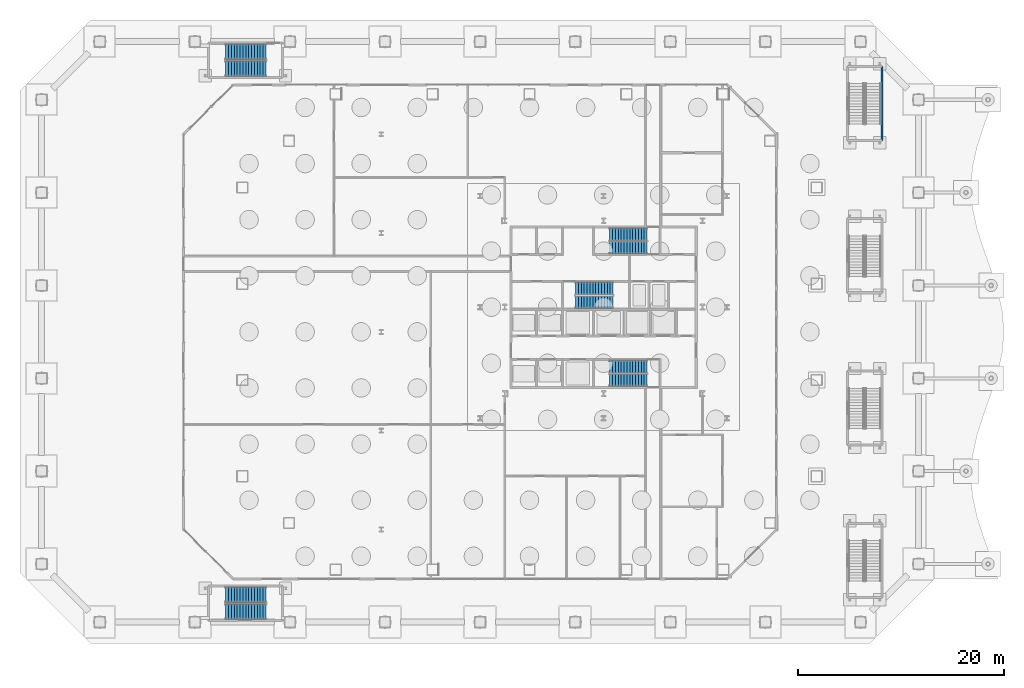
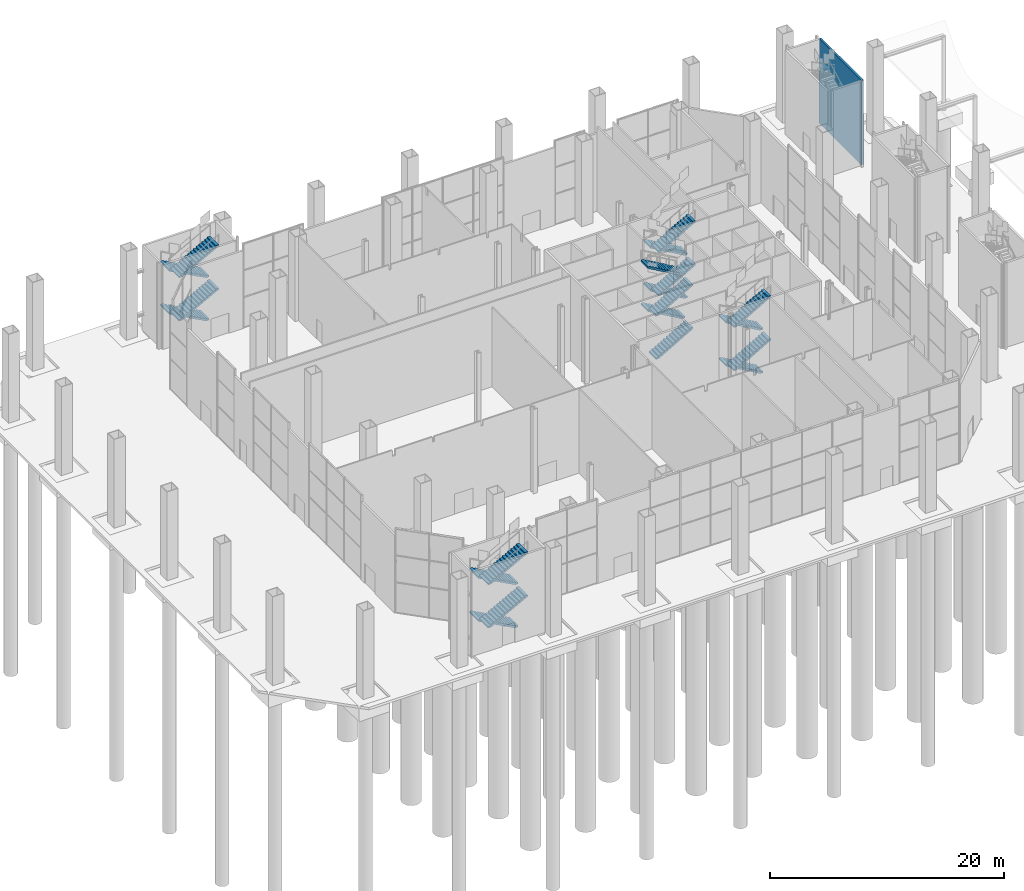
# One storey, part 28 of 38: 20 stair flights, 1 wall, 5 elements without a shape of their own.
"""IFC4 building model written with IfcOpenShell, lengths in metres."""

from ifc_helpers import new_model, si_unit, direction, frame, frame_2d, origin, place, context, subcontext, project, spatial, polyline, rectangle, outline, extrude, material, layer, layer_set, type_object, element, aggregate, save


model = new_model("IFC4")

# Units and contexts
model_context = context("Model", 3, precision=1e-05, world=origin(), true_north=direction((0.0, 1.0)))
body_context = subcontext(model_context, "Body", "Model", "MODEL_VIEW")
ifc_project = project(units=[si_unit("LENGTHUNIT", "METRE"), si_unit("AREAUNIT", "SQUARE_METRE"), si_unit("VOLUMEUNIT", "CUBIC_METRE"), si_unit("PLANEANGLEUNIT", "RADIAN"), si_unit("MASSUNIT", "GRAM", prefix="KILO")], contexts=[model_context])

# Site, building, storey
site_placement = place(None, origin())
site = spatial("IfcSite", under=ifc_project, at=site_placement, CompositionType="ELEMENT")
building_placement = place(site_placement, origin())
building = spatial("IfcBuilding", under=site, at=building_placement, Name="Cairn Pilgrim Tower", CompositionType="ELEMENT")
storey_placement = place(building_placement, origin())
storey = spatial("IfcBuildingStorey", under=building, at=storey_placement, Name="L00", CompositionType="ELEMENT", Elevation=0.0)

# Wall
ifc_material_1 = material(Name="Concrete C35/45", Category="concrete")
ifc_layer = layer(ifc_material_1, 0.199951171875)
ifc_layer_set = layer_set([ifc_layer], Name="PODIUM STAIR WALL 200 EI 120")
wall_type = type_object("IfcWallType", Name="PODIUM STAIR WALL 200 EI 120", PredefinedType="SOLIDWALL", material=ifc_layer_set)
wall_placement = place(storey_placement, frame((34.25, 25.800048828125, 0.0), z_axis=(0.0, 0.0, 1.0), x_axis=(0.0, -1.0, 0.0)))
element("IfcWall", 1, at=wall_placement, inside=storey, type_object=wall_type, Name="ES4 STAIR WALL E", PredefinedType="SOLIDWALL", context=body_context, shape_type="SweptSolid", body=[
    extrude(rectangle(XDim=7.199951171875, YDim=0.199951171875, at=frame_2d((3.60009765625, 0.0))), origin(), (0.0, 0.0, 1.0), 8.800048828125),
])

# Stair, stair flights
stair_type_1 = type_object("IfcStairType", Name="PODIUM EXIT STAIR 1500", PredefinedType="HALF_TURN_STAIR", material=ifc_material_1)
stair_1_placement = place(storey_placement, origin())
stair_1 = element("IfcStair", 2, at=stair_1_placement, inside=storey, type_object=stair_type_1, Name="L00 Exit Stair Hn", PredefinedType="HALF_TURN_STAIR")
stair_flight_type_1 = type_object("IfcStairFlightType", Name="PODIUM STAIR FLIGHT 1500", PredefinedType="STRAIGHT", material=ifc_material_1)
stair_flight_1_placement = place(storey_placement, frame((-25.60009765625, 27.199951171875, 0.0), z_axis=(0.0, 0.0, 1.0), x_axis=(-1.0, 0.0, 0.0)))
stair_flight_1 = element("IfcStairFlight", 3, at=stair_flight_1_placement, type_object=stair_flight_type_1, Name="ST-HN flight 1", NumberOfRisers=15, NumberOfTreads=14, PredefinedType="STRAIGHT", RiserHeight=0.15, TreadLength=0.28, context=body_context, shape_type="SweptSolid", body=[
    extrude(outline(polyline([(0.0, 0.0), (0.0, 0.14990234375), (0.280029296875, 0.14990234375), (0.280029296875, 0.300048828125), (0.56005859375, 0.300048828125), (0.56005859375, 0.449951171875), (0.840087890625, 0.449951171875), (0.840087890625, 0.60009765625), (1.1201171875, 0.60009765625), (1.1201171875, 0.75), (1.39990234375, 0.75), (1.39990234375, 0.89990234375), (1.679931640625, 0.89990234375), (1.679931640625, 1.050048828125), (1.9599609375, 1.050048828125), (1.9599609375, 1.199951171875), (2.239990234375, 1.199951171875), (2.239990234375, 1.35009765625), (2.52001953125, 1.35009765625), (2.52001953125, 1.5), (2.800048828125, 1.5), (2.800048828125, 1.64990234375), (3.080078125, 1.64990234375), (3.080078125, 1.800048828125), (3.360107421875, 1.800048828125), (3.360107421875, 1.949951171875), (3.639892578125, 1.949951171875), (3.639892578125, 2.10009765625), (3.919921875, 2.10009765625), (3.919921875, 2.25), (3.919921875, 1.929931640625), (0.3173828125, 0.0), (0.0, 0.0)])), frame((0.0, 0.75, 0.0), z_axis=(0.0, -1.0, 0.0), x_axis=(1.0, 0.0, 0.0)), (0.0, 0.0, 1.0), 1.5),
])
stair_flight_2_placement = place(storey_placement, frame((-29.52001953125, 25.550048828125, 2.25), z_axis=(0.0, 0.0, 1.0), x_axis=(1.0, 0.0, 0.0)))
stair_flight_2 = element("IfcStairFlight", 4, at=stair_flight_2_placement, type_object=stair_flight_type_1, Name="ST-HN flight 2", NumberOfRisers=15, NumberOfTreads=14, PredefinedType="STRAIGHT", RiserHeight=0.15, TreadLength=0.28, context=body_context, shape_type="SweptSolid", body=[
    extrude(outline(polyline([(0.0, 0.0), (0.0, 0.14990234375), (0.280029296875, 0.14990234375), (0.280029296875, 0.300048828125), (0.56005859375, 0.300048828125), (0.56005859375, 0.449951171875), (0.840087890625, 0.449951171875), (0.840087890625, 0.60009765625), (1.1201171875, 0.60009765625), (1.1201171875, 0.75), (1.39990234375, 0.75), (1.39990234375, 0.89990234375), (1.679931640625, 0.89990234375), (1.679931640625, 1.050048828125), (1.9599609375, 1.050048828125), (1.9599609375, 1.199951171875), (2.239990234375, 1.199951171875), (2.239990234375, 1.35009765625), (2.52001953125, 1.35009765625), (2.52001953125, 1.5), (2.800048828125, 1.5), (2.800048828125, 1.64990234375), (3.080078125, 1.64990234375), (3.080078125, 1.800048828125), (3.360107421875, 1.800048828125), (3.360107421875, 1.949951171875), (3.639892578125, 1.949951171875), (3.639892578125, 2.10009765625), (3.919921875, 2.10009765625), (3.919921875, 2.25), (3.919921875, 1.929931640625), (0.3173828125, 0.0), (0.0, 0.0)])), frame((0.0, 0.75, 0.0), z_axis=(0.0, -1.0, 0.0), x_axis=(1.0, 0.0, 0.0)), (0.0, 0.0, 1.0), 1.5),
])
stair_flight_3_placement = place(storey_placement, frame((-25.60009765625, 27.199951171875, 4.5), z_axis=(0.0, 0.0, 1.0), x_axis=(-1.0, 0.0, 0.0)))
stair_flight_3 = element("IfcStairFlight", 5, at=stair_flight_3_placement, type_object=stair_flight_type_1, Name="ST-HN flight 3", NumberOfRisers=15, NumberOfTreads=14, PredefinedType="STRAIGHT", RiserHeight=0.15, TreadLength=0.28, context=body_context, shape_type="SweptSolid", body=[
    extrude(outline(polyline([(0.0, 0.0), (0.0, 0.14990234375), (0.280029296875, 0.14990234375), (0.280029296875, 0.300048828125), (0.56005859375, 0.300048828125), (0.56005859375, 0.449951171875), (0.840087890625, 0.449951171875), (0.840087890625, 0.60009765625), (1.1201171875, 0.60009765625), (1.1201171875, 0.75), (1.39990234375, 0.75), (1.39990234375, 0.89990234375), (1.679931640625, 0.89990234375), (1.679931640625, 1.050048828125), (1.9599609375, 1.050048828125), (1.9599609375, 1.199951171875), (2.239990234375, 1.199951171875), (2.239990234375, 1.35009765625), (2.52001953125, 1.35009765625), (2.52001953125, 1.5), (2.800048828125, 1.5), (2.800048828125, 1.64990234375), (3.080078125, 1.64990234375), (3.080078125, 1.800048828125), (3.360107421875, 1.800048828125), (3.360107421875, 1.949951171875), (3.639892578125, 1.949951171875), (3.639892578125, 2.10009765625), (3.919921875, 2.10009765625), (3.919921875, 2.25), (3.919921875, 1.929931640625), (0.3173828125, 0.0), (0.0, 0.0)])), frame((0.0, 0.75, 0.0), z_axis=(0.0, -1.0, 0.0), x_axis=(1.0, 0.0, 0.0)), (0.0, 0.0, 1.0), 1.5),
])
stair_flight_4_placement = place(storey_placement, frame((-29.52001953125, 25.550048828125, 6.75), z_axis=(0.0, 0.0, 1.0), x_axis=(1.0, 0.0, 0.0)))
stair_flight_4 = element("IfcStairFlight", 6, at=stair_flight_4_placement, type_object=stair_flight_type_1, Name="ST-HN flight 4", NumberOfRisers=15, NumberOfTreads=14, PredefinedType="STRAIGHT", RiserHeight=0.15, TreadLength=0.28, context=body_context, shape_type="SweptSolid", body=[
    extrude(outline(polyline([(0.0, 0.0), (0.0, 0.14990234375), (0.280029296875, 0.14990234375), (0.280029296875, 0.300048828125), (0.56005859375, 0.300048828125), (0.56005859375, 0.449951171875), (0.840087890625, 0.449951171875), (0.840087890625, 0.60009765625), (1.1201171875, 0.60009765625), (1.1201171875, 0.75), (1.39990234375, 0.75), (1.39990234375, 0.89990234375), (1.679931640625, 0.89990234375), (1.679931640625, 1.050048828125), (1.9599609375, 1.050048828125), (1.9599609375, 1.199951171875), (2.239990234375, 1.199951171875), (2.239990234375, 1.35009765625), (2.52001953125, 1.35009765625), (2.52001953125, 1.5), (2.800048828125, 1.5), (2.800048828125, 1.64990234375), (3.080078125, 1.64990234375), (3.080078125, 1.800048828125), (3.360107421875, 1.800048828125), (3.360107421875, 1.949951171875), (3.639892578125, 1.949951171875), (3.639892578125, 2.10009765625), (3.919921875, 2.10009765625), (3.919921875, 2.25), (3.919921875, 1.929931640625), (0.3173828125, 0.0), (0.0, 0.0)])), frame((0.0, 0.75, 0.0), z_axis=(0.0, -1.0, 0.0), x_axis=(1.0, 0.0, 0.0)), (0.0, 0.0, 1.0), 1.5),
])
aggregate(stair_1, [stair_flight_1, stair_flight_2, stair_flight_3, stair_flight_4])

stair_2_placement = place(storey_placement, origin())
stair_2 = element("IfcStair", 7, at=stair_2_placement, inside=storey, type_object=stair_type_1, Name="L00 Exit Stair Hs", PredefinedType="HALF_TURN_STAIR")
stair_flight_5_placement = place(storey_placement, frame((-25.60009765625, -25.550048828125, 0.0), z_axis=(0.0, 0.0, 1.0), x_axis=(-1.0, 0.0, 0.0)))
stair_flight_5 = element("IfcStairFlight", 8, at=stair_flight_5_placement, type_object=stair_flight_type_1, Name="ST-HS flight 1", NumberOfRisers=15, NumberOfTreads=14, PredefinedType="STRAIGHT", RiserHeight=0.15, TreadLength=0.28, context=body_context, shape_type="SweptSolid", body=[
    extrude(outline(polyline([(0.0, 0.0), (0.0, 0.14990234375), (0.280029296875, 0.14990234375), (0.280029296875, 0.300048828125), (0.56005859375, 0.300048828125), (0.56005859375, 0.449951171875), (0.840087890625, 0.449951171875), (0.840087890625, 0.60009765625), (1.1201171875, 0.60009765625), (1.1201171875, 0.75), (1.39990234375, 0.75), (1.39990234375, 0.89990234375), (1.679931640625, 0.89990234375), (1.679931640625, 1.050048828125), (1.9599609375, 1.050048828125), (1.9599609375, 1.199951171875), (2.239990234375, 1.199951171875), (2.239990234375, 1.35009765625), (2.52001953125, 1.35009765625), (2.52001953125, 1.5), (2.800048828125, 1.5), (2.800048828125, 1.64990234375), (3.080078125, 1.64990234375), (3.080078125, 1.800048828125), (3.360107421875, 1.800048828125), (3.360107421875, 1.949951171875), (3.639892578125, 1.949951171875), (3.639892578125, 2.10009765625), (3.919921875, 2.10009765625), (3.919921875, 2.25), (3.919921875, 1.929931640625), (0.3173828125, 0.0), (0.0, 0.0)])), frame((0.0, 0.75, 0.0), z_axis=(0.0, -1.0, 0.0), x_axis=(1.0, 0.0, 0.0)), (0.0, 0.0, 1.0), 1.5),
])
stair_flight_6_placement = place(storey_placement, frame((-29.52001953125, -27.199951171875, 2.25), z_axis=(0.0, 0.0, 1.0), x_axis=(1.0, 0.0, 0.0)))
stair_flight_6 = element("IfcStairFlight", 9, at=stair_flight_6_placement, type_object=stair_flight_type_1, Name="ST-HS flight 2", NumberOfRisers=15, NumberOfTreads=14, PredefinedType="STRAIGHT", RiserHeight=0.15, TreadLength=0.28, context=body_context, shape_type="SweptSolid", body=[
    extrude(outline(polyline([(0.0, 0.0), (0.0, 0.14990234375), (0.280029296875, 0.14990234375), (0.280029296875, 0.300048828125), (0.56005859375, 0.300048828125), (0.56005859375, 0.449951171875), (0.840087890625, 0.449951171875), (0.840087890625, 0.60009765625), (1.1201171875, 0.60009765625), (1.1201171875, 0.75), (1.39990234375, 0.75), (1.39990234375, 0.89990234375), (1.679931640625, 0.89990234375), (1.679931640625, 1.050048828125), (1.9599609375, 1.050048828125), (1.9599609375, 1.199951171875), (2.239990234375, 1.199951171875), (2.239990234375, 1.35009765625), (2.52001953125, 1.35009765625), (2.52001953125, 1.5), (2.800048828125, 1.5), (2.800048828125, 1.64990234375), (3.080078125, 1.64990234375), (3.080078125, 1.800048828125), (3.360107421875, 1.800048828125), (3.360107421875, 1.949951171875), (3.639892578125, 1.949951171875), (3.639892578125, 2.10009765625), (3.919921875, 2.10009765625), (3.919921875, 2.25), (3.919921875, 1.929931640625), (0.3173828125, 0.0), (0.0, 0.0)])), frame((0.0, 0.75, 0.0), z_axis=(0.0, -1.0, 0.0), x_axis=(1.0, 0.0, 0.0)), (0.0, 0.0, 1.0), 1.5),
])
stair_flight_7_placement = place(storey_placement, frame((-25.60009765625, -25.550048828125, 4.5), z_axis=(0.0, 0.0, 1.0), x_axis=(-1.0, 0.0, 0.0)))
stair_flight_7 = element("IfcStairFlight", 10, at=stair_flight_7_placement, type_object=stair_flight_type_1, Name="ST-HS flight 3", NumberOfRisers=15, NumberOfTreads=14, PredefinedType="STRAIGHT", RiserHeight=0.15, TreadLength=0.28, context=body_context, shape_type="SweptSolid", body=[
    extrude(outline(polyline([(0.0, 0.0), (0.0, 0.14990234375), (0.280029296875, 0.14990234375), (0.280029296875, 0.300048828125), (0.56005859375, 0.300048828125), (0.56005859375, 0.449951171875), (0.840087890625, 0.449951171875), (0.840087890625, 0.60009765625), (1.1201171875, 0.60009765625), (1.1201171875, 0.75), (1.39990234375, 0.75), (1.39990234375, 0.89990234375), (1.679931640625, 0.89990234375), (1.679931640625, 1.050048828125), (1.9599609375, 1.050048828125), (1.9599609375, 1.199951171875), (2.239990234375, 1.199951171875), (2.239990234375, 1.35009765625), (2.52001953125, 1.35009765625), (2.52001953125, 1.5), (2.800048828125, 1.5), (2.800048828125, 1.64990234375), (3.080078125, 1.64990234375), (3.080078125, 1.800048828125), (3.360107421875, 1.800048828125), (3.360107421875, 1.949951171875), (3.639892578125, 1.949951171875), (3.639892578125, 2.10009765625), (3.919921875, 2.10009765625), (3.919921875, 2.25), (3.919921875, 1.929931640625), (0.3173828125, 0.0), (0.0, 0.0)])), frame((0.0, 0.75, 0.0), z_axis=(0.0, -1.0, 0.0), x_axis=(1.0, 0.0, 0.0)), (0.0, 0.0, 1.0), 1.5),
])
stair_flight_8_placement = place(storey_placement, frame((-29.52001953125, -27.199951171875, 6.75), z_axis=(0.0, 0.0, 1.0), x_axis=(1.0, 0.0, 0.0)))
stair_flight_8 = element("IfcStairFlight", 11, at=stair_flight_8_placement, type_object=stair_flight_type_1, Name="ST-HS flight 4", NumberOfRisers=15, NumberOfTreads=14, PredefinedType="STRAIGHT", RiserHeight=0.15, TreadLength=0.28, context=body_context, shape_type="SweptSolid", body=[
    extrude(outline(polyline([(0.0, 0.0), (0.0, 0.14990234375), (0.280029296875, 0.14990234375), (0.280029296875, 0.300048828125), (0.56005859375, 0.300048828125), (0.56005859375, 0.449951171875), (0.840087890625, 0.449951171875), (0.840087890625, 0.60009765625), (1.1201171875, 0.60009765625), (1.1201171875, 0.75), (1.39990234375, 0.75), (1.39990234375, 0.89990234375), (1.679931640625, 0.89990234375), (1.679931640625, 1.050048828125), (1.9599609375, 1.050048828125), (1.9599609375, 1.199951171875), (2.239990234375, 1.199951171875), (2.239990234375, 1.35009765625), (2.52001953125, 1.35009765625), (2.52001953125, 1.5), (2.800048828125, 1.5), (2.800048828125, 1.64990234375), (3.080078125, 1.64990234375), (3.080078125, 1.800048828125), (3.360107421875, 1.800048828125), (3.360107421875, 1.949951171875), (3.639892578125, 1.949951171875), (3.639892578125, 2.10009765625), (3.919921875, 2.10009765625), (3.919921875, 2.25), (3.919921875, 1.929931640625), (0.3173828125, 0.0), (0.0, 0.0)])), frame((0.0, 0.75, 0.0), z_axis=(0.0, -1.0, 0.0), x_axis=(1.0, 0.0, 0.0)), (0.0, 0.0, 1.0), 1.5),
])
aggregate(stair_2, [stair_flight_5, stair_flight_6, stair_flight_7, stair_flight_8])

ifc_material_2 = material(Name="Concrete C32/40", Category="concrete")
stair_type_2 = type_object("IfcStairType", Name="EXIT STAIR 1200", PredefinedType="HALF_TURN_STAIR", material=ifc_material_2)
stair_3_placement = place(storey_placement, origin())
stair_3 = element("IfcStair", 12, at=stair_3_placement, inside=storey, type_object=stair_type_2, Name="L00 Exit Stair A", PredefinedType="HALF_TURN_STAIR")
stair_flight_type_2 = type_object("IfcStairFlightType", Name="STAIR FLIGHT 1200", PredefinedType="STRAIGHT", material=ifc_material_2)
stair_flight_9_placement = place(storey_placement, frame((11.425048828125, -3.375, 0.0), z_axis=(0.0, 0.0, 1.0), x_axis=(-1.0, 0.0, 0.0)))
stair_flight_9 = element("IfcStairFlight", 13, at=stair_flight_9_placement, type_object=stair_flight_type_2, Name="ST-A flight 1", NumberOfRisers=14, NumberOfTreads=13, PredefinedType="STRAIGHT", RiserHeight=0.160714286, TreadLength=0.28, context=body_context, shape_type="SweptSolid", body=[
    extrude(outline(polyline([(0.0, 0.0), (0.0, 0.16064453125), (0.280029296875, 0.16064453125), (0.280029296875, 0.321533203125), (0.56005859375, 0.321533203125), (0.56005859375, 0.482177734375), (0.840087890625, 0.482177734375), (0.840087890625, 0.642822265625), (1.1201171875, 0.642822265625), (1.1201171875, 0.803466796875), (1.39990234375, 0.803466796875), (1.39990234375, 0.96435546875), (1.679931640625, 0.96435546875), (1.679931640625, 1.125), (1.9599609375, 1.125), (1.9599609375, 1.28564453125), (2.239990234375, 1.28564453125), (2.239990234375, 1.446533203125), (2.52001953125, 1.446533203125), (2.52001953125, 1.607177734375), (2.800048828125, 1.607177734375), (2.800048828125, 1.767822265625), (3.080078125, 1.767822265625), (3.080078125, 1.928466796875), (3.360107421875, 1.928466796875), (3.360107421875, 2.08935546875), (3.639892578125, 2.08935546875), (3.639892578125, 2.25), (3.639892578125, 1.91650390625), (0.301025390625, 0.0), (0.0, 0.0)])), frame((0.0, 0.60009765625, 0.0), z_axis=(0.0, -1.0, 0.0), x_axis=(1.0, 0.0, 0.0)), (0.0, 0.0, 1.0), 1.199951171875),
])
stair_flight_10_placement = place(storey_placement, frame((7.784912109375, -4.699951171875, 2.25), z_axis=(0.0, 0.0, 1.0), x_axis=(1.0, 0.0, 0.0)))
stair_flight_10 = element("IfcStairFlight", 14, at=stair_flight_10_placement, type_object=stair_flight_type_2, Name="ST-A flight 2", NumberOfRisers=14, NumberOfTreads=13, PredefinedType="STRAIGHT", RiserHeight=0.160714286, TreadLength=0.28, context=body_context, shape_type="SweptSolid", body=[
    extrude(outline(polyline([(0.0, 0.0), (0.0, 0.16064453125), (0.280029296875, 0.16064453125), (0.280029296875, 0.321533203125), (0.56005859375, 0.321533203125), (0.56005859375, 0.482177734375), (0.840087890625, 0.482177734375), (0.840087890625, 0.642822265625), (1.1201171875, 0.642822265625), (1.1201171875, 0.803466796875), (1.39990234375, 0.803466796875), (1.39990234375, 0.96435546875), (1.679931640625, 0.96435546875), (1.679931640625, 1.125), (1.9599609375, 1.125), (1.9599609375, 1.28564453125), (2.239990234375, 1.28564453125), (2.239990234375, 1.446533203125), (2.52001953125, 1.446533203125), (2.52001953125, 1.607177734375), (2.800048828125, 1.607177734375), (2.800048828125, 1.767822265625), (3.080078125, 1.767822265625), (3.080078125, 1.928466796875), (3.360107421875, 1.928466796875), (3.360107421875, 2.08935546875), (3.639892578125, 2.08935546875), (3.639892578125, 2.25), (3.639892578125, 1.91650390625), (0.301025390625, 0.0), (0.0, 0.0)])), frame((0.0, 0.60009765625, 0.0), z_axis=(0.0, -1.0, 0.0), x_axis=(1.0, 0.0, 0.0)), (0.0, 0.0, 1.0), 1.199951171875),
])
stair_flight_11_placement = place(storey_placement, frame((11.425048828125, -3.375, 4.5), z_axis=(0.0, 0.0, 1.0), x_axis=(-1.0, 0.0, 0.0)))
stair_flight_11 = element("IfcStairFlight", 15, at=stair_flight_11_placement, type_object=stair_flight_type_2, Name="ST-A flight 3", NumberOfRisers=14, NumberOfTreads=13, PredefinedType="STRAIGHT", RiserHeight=0.160714286, TreadLength=0.28, context=body_context, shape_type="SweptSolid", body=[
    extrude(outline(polyline([(0.0, 0.0), (0.0, 0.16064453125), (0.280029296875, 0.16064453125), (0.280029296875, 0.321533203125), (0.56005859375, 0.321533203125), (0.56005859375, 0.482177734375), (0.840087890625, 0.482177734375), (0.840087890625, 0.642822265625), (1.1201171875, 0.642822265625), (1.1201171875, 0.803466796875), (1.39990234375, 0.803466796875), (1.39990234375, 0.96435546875), (1.679931640625, 0.96435546875), (1.679931640625, 1.125), (1.9599609375, 1.125), (1.9599609375, 1.28564453125), (2.239990234375, 1.28564453125), (2.239990234375, 1.446533203125), (2.52001953125, 1.446533203125), (2.52001953125, 1.607177734375), (2.800048828125, 1.607177734375), (2.800048828125, 1.767822265625), (3.080078125, 1.767822265625), (3.080078125, 1.928466796875), (3.360107421875, 1.928466796875), (3.360107421875, 2.08935546875), (3.639892578125, 2.08935546875), (3.639892578125, 2.25), (3.639892578125, 1.91650390625), (0.301025390625, 0.0), (0.0, 0.0)])), frame((0.0, 0.60009765625, 0.0), z_axis=(0.0, -1.0, 0.0), x_axis=(1.0, 0.0, 0.0)), (0.0, 0.0, 1.0), 1.199951171875),
])
stair_flight_12_placement = place(storey_placement, frame((7.784912109375, -4.699951171875, 6.75), z_axis=(0.0, 0.0, 1.0), x_axis=(1.0, 0.0, 0.0)))
stair_flight_12 = element("IfcStairFlight", 16, at=stair_flight_12_placement, type_object=stair_flight_type_2, Name="ST-A flight 4", NumberOfRisers=14, NumberOfTreads=13, PredefinedType="STRAIGHT", RiserHeight=0.160714286, TreadLength=0.28, context=body_context, shape_type="SweptSolid", body=[
    extrude(outline(polyline([(0.0, 0.0), (0.0, 0.16064453125), (0.280029296875, 0.16064453125), (0.280029296875, 0.321533203125), (0.56005859375, 0.321533203125), (0.56005859375, 0.482177734375), (0.840087890625, 0.482177734375), (0.840087890625, 0.642822265625), (1.1201171875, 0.642822265625), (1.1201171875, 0.803466796875), (1.39990234375, 0.803466796875), (1.39990234375, 0.96435546875), (1.679931640625, 0.96435546875), (1.679931640625, 1.125), (1.9599609375, 1.125), (1.9599609375, 1.28564453125), (2.239990234375, 1.28564453125), (2.239990234375, 1.446533203125), (2.52001953125, 1.446533203125), (2.52001953125, 1.607177734375), (2.800048828125, 1.607177734375), (2.800048828125, 1.767822265625), (3.080078125, 1.767822265625), (3.080078125, 1.928466796875), (3.360107421875, 1.928466796875), (3.360107421875, 2.08935546875), (3.639892578125, 2.08935546875), (3.639892578125, 2.25), (3.639892578125, 1.91650390625), (0.301025390625, 0.0), (0.0, 0.0)])), frame((0.0, 0.60009765625, 0.0), z_axis=(0.0, -1.0, 0.0), x_axis=(1.0, 0.0, 0.0)), (0.0, 0.0, 1.0), 1.199951171875),
])
aggregate(stair_3, [stair_flight_9, stair_flight_10, stair_flight_11, stair_flight_12])

stair_4_placement = place(storey_placement, origin())
stair_4 = element("IfcStair", 17, at=stair_4_placement, inside=storey, type_object=stair_type_2, Name="L00 Exit Stair B", PredefinedType="HALF_TURN_STAIR")
stair_flight_13_placement = place(storey_placement, frame((4.47509765625, 2.875, 0.0), z_axis=(0.0, 0.0, 1.0), x_axis=(1.0, 0.0, 0.0)))
stair_flight_13 = element("IfcStairFlight", 18, at=stair_flight_13_placement, type_object=stair_flight_type_2, Name="ST-B flight 1", NumberOfRisers=14, NumberOfTreads=13, PredefinedType="STRAIGHT", RiserHeight=0.160714286, TreadLength=0.28, context=body_context, shape_type="SweptSolid", body=[
    extrude(outline(polyline([(0.0, 0.0), (0.0, 0.16064453125), (0.280029296875, 0.16064453125), (0.280029296875, 0.321533203125), (0.56005859375, 0.321533203125), (0.56005859375, 0.482177734375), (0.840087890625, 0.482177734375), (0.840087890625, 0.642822265625), (1.1201171875, 0.642822265625), (1.1201171875, 0.803466796875), (1.39990234375, 0.803466796875), (1.39990234375, 0.96435546875), (1.679931640625, 0.96435546875), (1.679931640625, 1.125), (1.9599609375, 1.125), (1.9599609375, 1.28564453125), (2.239990234375, 1.28564453125), (2.239990234375, 1.446533203125), (2.52001953125, 1.446533203125), (2.52001953125, 1.607177734375), (2.800048828125, 1.607177734375), (2.800048828125, 1.767822265625), (3.080078125, 1.767822265625), (3.080078125, 1.928466796875), (3.360107421875, 1.928466796875), (3.360107421875, 2.08935546875), (3.639892578125, 2.08935546875), (3.639892578125, 2.25), (3.639892578125, 1.91650390625), (0.301025390625, 0.0), (0.0, 0.0)])), frame((0.0, 0.60009765625, 0.0), z_axis=(0.0, -1.0, 0.0), x_axis=(1.0, 0.0, 0.0)), (0.0, 0.0, 1.0), 1.199951171875),
])
stair_flight_14_placement = place(storey_placement, frame((8.114990234375, 4.22509765625, 2.25), z_axis=(0.0, 0.0, 1.0), x_axis=(-1.0, 0.0, 0.0)))
stair_flight_14 = element("IfcStairFlight", 19, at=stair_flight_14_placement, type_object=stair_flight_type_2, Name="ST-B flight 2", NumberOfRisers=14, NumberOfTreads=13, PredefinedType="STRAIGHT", RiserHeight=0.160714286, TreadLength=0.28, context=body_context, shape_type="SweptSolid", body=[
    extrude(outline(polyline([(0.0, 0.0), (0.0, 0.16064453125), (0.280029296875, 0.16064453125), (0.280029296875, 0.321533203125), (0.56005859375, 0.321533203125), (0.56005859375, 0.482177734375), (0.840087890625, 0.482177734375), (0.840087890625, 0.642822265625), (1.1201171875, 0.642822265625), (1.1201171875, 0.803466796875), (1.39990234375, 0.803466796875), (1.39990234375, 0.96435546875), (1.679931640625, 0.96435546875), (1.679931640625, 1.125), (1.9599609375, 1.125), (1.9599609375, 1.28564453125), (2.239990234375, 1.28564453125), (2.239990234375, 1.446533203125), (2.52001953125, 1.446533203125), (2.52001953125, 1.607177734375), (2.800048828125, 1.607177734375), (2.800048828125, 1.767822265625), (3.080078125, 1.767822265625), (3.080078125, 1.928466796875), (3.360107421875, 1.928466796875), (3.360107421875, 2.08935546875), (3.639892578125, 2.08935546875), (3.639892578125, 2.25), (3.639892578125, 1.91650390625), (0.301025390625, 0.0), (0.0, 0.0)])), frame((0.0, 0.60009765625, 0.0), z_axis=(0.0, -1.0, 0.0), x_axis=(1.0, 0.0, 0.0)), (0.0, 0.0, 1.0), 1.199951171875),
])
stair_flight_15_placement = place(storey_placement, frame((4.47509765625, 2.875, 4.5), z_axis=(0.0, 0.0, 1.0), x_axis=(1.0, 0.0, 0.0)))
stair_flight_15 = element("IfcStairFlight", 20, at=stair_flight_15_placement, type_object=stair_flight_type_2, Name="ST-B flight 3", NumberOfRisers=14, NumberOfTreads=13, PredefinedType="STRAIGHT", RiserHeight=0.160714286, TreadLength=0.28, context=body_context, shape_type="SweptSolid", body=[
    extrude(outline(polyline([(0.0, 0.0), (0.0, 0.16064453125), (0.280029296875, 0.16064453125), (0.280029296875, 0.321533203125), (0.56005859375, 0.321533203125), (0.56005859375, 0.482177734375), (0.840087890625, 0.482177734375), (0.840087890625, 0.642822265625), (1.1201171875, 0.642822265625), (1.1201171875, 0.803466796875), (1.39990234375, 0.803466796875), (1.39990234375, 0.96435546875), (1.679931640625, 0.96435546875), (1.679931640625, 1.125), (1.9599609375, 1.125), (1.9599609375, 1.28564453125), (2.239990234375, 1.28564453125), (2.239990234375, 1.446533203125), (2.52001953125, 1.446533203125), (2.52001953125, 1.607177734375), (2.800048828125, 1.607177734375), (2.800048828125, 1.767822265625), (3.080078125, 1.767822265625), (3.080078125, 1.928466796875), (3.360107421875, 1.928466796875), (3.360107421875, 2.08935546875), (3.639892578125, 2.08935546875), (3.639892578125, 2.25), (3.639892578125, 1.91650390625), (0.301025390625, 0.0), (0.0, 0.0)])), frame((0.0, 0.60009765625, 0.0), z_axis=(0.0, -1.0, 0.0), x_axis=(1.0, 0.0, 0.0)), (0.0, 0.0, 1.0), 1.199951171875),
])
stair_flight_16_placement = place(storey_placement, frame((8.114990234375, 4.22509765625, 6.75), z_axis=(0.0, 0.0, 1.0), x_axis=(-1.0, 0.0, 0.0)))
stair_flight_16 = element("IfcStairFlight", 21, at=stair_flight_16_placement, type_object=stair_flight_type_2, Name="ST-B flight 4", NumberOfRisers=14, NumberOfTreads=13, PredefinedType="STRAIGHT", RiserHeight=0.160714286, TreadLength=0.28, context=body_context, shape_type="SweptSolid", body=[
    extrude(outline(polyline([(0.0, 0.0), (0.0, 0.16064453125), (0.280029296875, 0.16064453125), (0.280029296875, 0.321533203125), (0.56005859375, 0.321533203125), (0.56005859375, 0.482177734375), (0.840087890625, 0.482177734375), (0.840087890625, 0.642822265625), (1.1201171875, 0.642822265625), (1.1201171875, 0.803466796875), (1.39990234375, 0.803466796875), (1.39990234375, 0.96435546875), (1.679931640625, 0.96435546875), (1.679931640625, 1.125), (1.9599609375, 1.125), (1.9599609375, 1.28564453125), (2.239990234375, 1.28564453125), (2.239990234375, 1.446533203125), (2.52001953125, 1.446533203125), (2.52001953125, 1.607177734375), (2.800048828125, 1.607177734375), (2.800048828125, 1.767822265625), (3.080078125, 1.767822265625), (3.080078125, 1.928466796875), (3.360107421875, 1.928466796875), (3.360107421875, 2.08935546875), (3.639892578125, 2.08935546875), (3.639892578125, 2.25), (3.639892578125, 1.91650390625), (0.301025390625, 0.0), (0.0, 0.0)])), frame((0.0, 0.60009765625, 0.0), z_axis=(0.0, -1.0, 0.0), x_axis=(1.0, 0.0, 0.0)), (0.0, 0.0, 1.0), 1.199951171875),
])
aggregate(stair_4, [stair_flight_13, stair_flight_14, stair_flight_15, stair_flight_16])

stair_5_placement = place(storey_placement, origin())
stair_5 = element("IfcStair", 22, at=stair_5_placement, inside=storey, type_object=stair_type_2, Name="L00 Exit Stair C", PredefinedType="HALF_TURN_STAIR")
stair_flight_17_placement = place(storey_placement, frame((11.425048828125, 9.5, 0.0), z_axis=(0.0, 0.0, 1.0), x_axis=(-1.0, 0.0, 0.0)))
stair_flight_17 = element("IfcStairFlight", 23, at=stair_flight_17_placement, type_object=stair_flight_type_2, Name="ST-C flight 1", NumberOfRisers=14, NumberOfTreads=13, PredefinedType="STRAIGHT", RiserHeight=0.160714286, TreadLength=0.28, context=body_context, shape_type="SweptSolid", body=[
    extrude(outline(polyline([(0.0, 0.0), (0.0, 0.16064453125), (0.280029296875, 0.16064453125), (0.280029296875, 0.321533203125), (0.56005859375, 0.321533203125), (0.56005859375, 0.482177734375), (0.840087890625, 0.482177734375), (0.840087890625, 0.642822265625), (1.1201171875, 0.642822265625), (1.1201171875, 0.803466796875), (1.39990234375, 0.803466796875), (1.39990234375, 0.96435546875), (1.679931640625, 0.96435546875), (1.679931640625, 1.125), (1.9599609375, 1.125), (1.9599609375, 1.28564453125), (2.239990234375, 1.28564453125), (2.239990234375, 1.446533203125), (2.52001953125, 1.446533203125), (2.52001953125, 1.607177734375), (2.800048828125, 1.607177734375), (2.800048828125, 1.767822265625), (3.080078125, 1.767822265625), (3.080078125, 1.928466796875), (3.360107421875, 1.928466796875), (3.360107421875, 2.08935546875), (3.639892578125, 2.08935546875), (3.639892578125, 2.25), (3.639892578125, 1.91650390625), (0.301025390625, 0.0), (0.0, 0.0)])), frame((0.0, 0.60009765625, 0.0), z_axis=(0.0, -1.0, 0.0), x_axis=(1.0, 0.0, 0.0)), (0.0, 0.0, 1.0), 1.199951171875),
])
stair_flight_18_placement = place(storey_placement, frame((7.784912109375, 8.175048828125, 2.25), z_axis=(0.0, 0.0, 1.0), x_axis=(1.0, 0.0, 0.0)))
stair_flight_18 = element("IfcStairFlight", 24, at=stair_flight_18_placement, type_object=stair_flight_type_2, Name="ST-C flight 2", NumberOfRisers=14, NumberOfTreads=13, PredefinedType="STRAIGHT", RiserHeight=0.160714286, TreadLength=0.28, context=body_context, shape_type="SweptSolid", body=[
    extrude(outline(polyline([(0.0, 0.0), (0.0, 0.16064453125), (0.280029296875, 0.16064453125), (0.280029296875, 0.321533203125), (0.56005859375, 0.321533203125), (0.56005859375, 0.482177734375), (0.840087890625, 0.482177734375), (0.840087890625, 0.642822265625), (1.1201171875, 0.642822265625), (1.1201171875, 0.803466796875), (1.39990234375, 0.803466796875), (1.39990234375, 0.96435546875), (1.679931640625, 0.96435546875), (1.679931640625, 1.125), (1.9599609375, 1.125), (1.9599609375, 1.28564453125), (2.239990234375, 1.28564453125), (2.239990234375, 1.446533203125), (2.52001953125, 1.446533203125), (2.52001953125, 1.607177734375), (2.800048828125, 1.607177734375), (2.800048828125, 1.767822265625), (3.080078125, 1.767822265625), (3.080078125, 1.928466796875), (3.360107421875, 1.928466796875), (3.360107421875, 2.08935546875), (3.639892578125, 2.08935546875), (3.639892578125, 2.25), (3.639892578125, 1.91650390625), (0.301025390625, 0.0), (0.0, 0.0)])), frame((0.0, 0.60009765625, 0.0), z_axis=(0.0, -1.0, 0.0), x_axis=(1.0, 0.0, 0.0)), (0.0, 0.0, 1.0), 1.199951171875),
])
stair_flight_19_placement = place(storey_placement, frame((11.425048828125, 9.5, 4.5), z_axis=(0.0, 0.0, 1.0), x_axis=(-1.0, 0.0, 0.0)))
stair_flight_19 = element("IfcStairFlight", 25, at=stair_flight_19_placement, type_object=stair_flight_type_2, Name="ST-C flight 3", NumberOfRisers=14, NumberOfTreads=13, PredefinedType="STRAIGHT", RiserHeight=0.160714286, TreadLength=0.28, context=body_context, shape_type="SweptSolid", body=[
    extrude(outline(polyline([(0.0, 0.0), (0.0, 0.16064453125), (0.280029296875, 0.16064453125), (0.280029296875, 0.321533203125), (0.56005859375, 0.321533203125), (0.56005859375, 0.482177734375), (0.840087890625, 0.482177734375), (0.840087890625, 0.642822265625), (1.1201171875, 0.642822265625), (1.1201171875, 0.803466796875), (1.39990234375, 0.803466796875), (1.39990234375, 0.96435546875), (1.679931640625, 0.96435546875), (1.679931640625, 1.125), (1.9599609375, 1.125), (1.9599609375, 1.28564453125), (2.239990234375, 1.28564453125), (2.239990234375, 1.446533203125), (2.52001953125, 1.446533203125), (2.52001953125, 1.607177734375), (2.800048828125, 1.607177734375), (2.800048828125, 1.767822265625), (3.080078125, 1.767822265625), (3.080078125, 1.928466796875), (3.360107421875, 1.928466796875), (3.360107421875, 2.08935546875), (3.639892578125, 2.08935546875), (3.639892578125, 2.25), (3.639892578125, 1.91650390625), (0.301025390625, 0.0), (0.0, 0.0)])), frame((0.0, 0.60009765625, 0.0), z_axis=(0.0, -1.0, 0.0), x_axis=(1.0, 0.0, 0.0)), (0.0, 0.0, 1.0), 1.199951171875),
])
stair_flight_20_placement = place(storey_placement, frame((7.784912109375, 8.175048828125, 6.75), z_axis=(0.0, 0.0, 1.0), x_axis=(1.0, 0.0, 0.0)))
stair_flight_20 = element("IfcStairFlight", 26, at=stair_flight_20_placement, type_object=stair_flight_type_2, Name="ST-C flight 4", NumberOfRisers=14, NumberOfTreads=13, PredefinedType="STRAIGHT", RiserHeight=0.160714286, TreadLength=0.28, context=body_context, shape_type="SweptSolid", body=[
    extrude(outline(polyline([(0.0, 0.0), (0.0, 0.16064453125), (0.280029296875, 0.16064453125), (0.280029296875, 0.321533203125), (0.56005859375, 0.321533203125), (0.56005859375, 0.482177734375), (0.840087890625, 0.482177734375), (0.840087890625, 0.642822265625), (1.1201171875, 0.642822265625), (1.1201171875, 0.803466796875), (1.39990234375, 0.803466796875), (1.39990234375, 0.96435546875), (1.679931640625, 0.96435546875), (1.679931640625, 1.125), (1.9599609375, 1.125), (1.9599609375, 1.28564453125), (2.239990234375, 1.28564453125), (2.239990234375, 1.446533203125), (2.52001953125, 1.446533203125), (2.52001953125, 1.607177734375), (2.800048828125, 1.607177734375), (2.800048828125, 1.767822265625), (3.080078125, 1.767822265625), (3.080078125, 1.928466796875), (3.360107421875, 1.928466796875), (3.360107421875, 2.08935546875), (3.639892578125, 2.08935546875), (3.639892578125, 2.25), (3.639892578125, 1.91650390625), (0.301025390625, 0.0), (0.0, 0.0)])), frame((0.0, 0.60009765625, 0.0), z_axis=(0.0, -1.0, 0.0), x_axis=(1.0, 0.0, 0.0)), (0.0, 0.0, 1.0), 1.199951171875),
])
aggregate(stair_5, [stair_flight_17, stair_flight_18, stair_flight_19, stair_flight_20])

save(model, "model.ifc")
